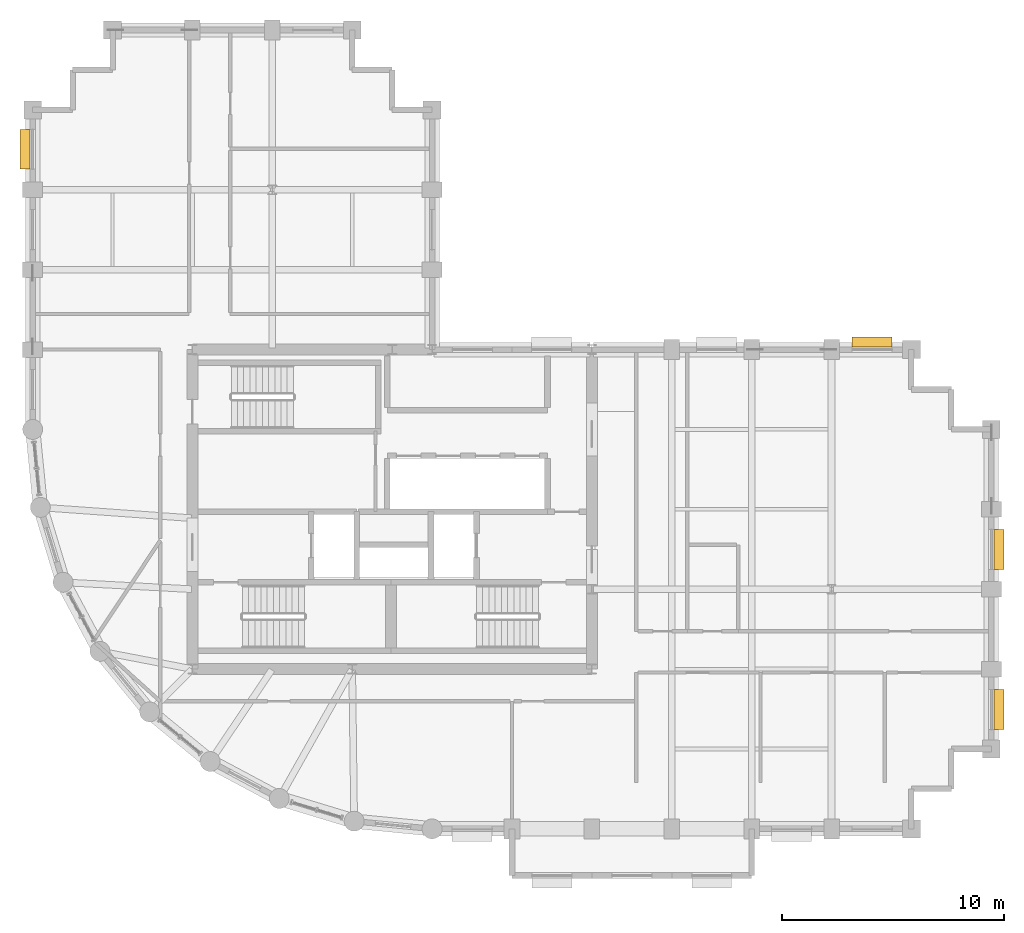
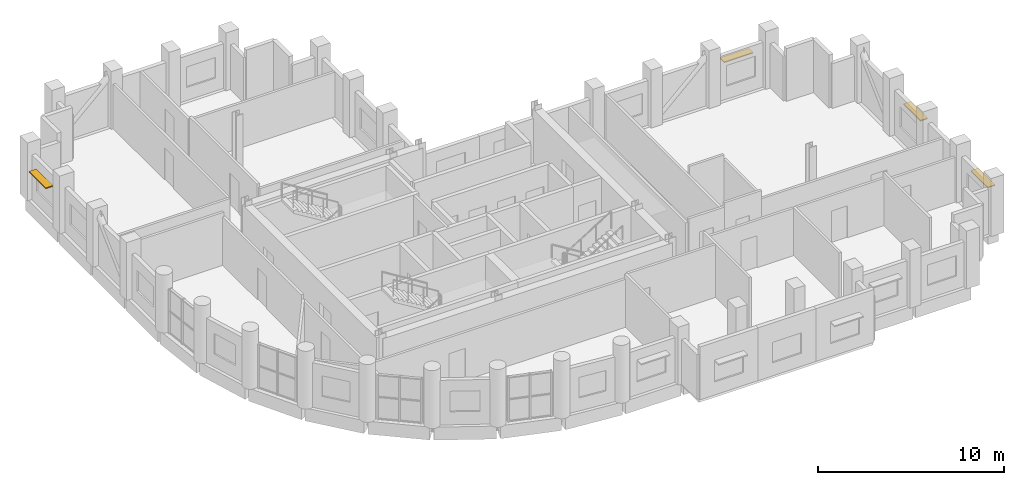
# One storey, part 11 of 11: 4 shading devices.
"""IFC4 building model written with IfcOpenShell, lengths in metres."""

from ifc_helpers import new_model, si_unit, direction, frame, origin, origin_2d, place, context, subcontext, project, spatial, rectangle, extrude, material, layer, layer_set, type_object, element, save


model = new_model("IFC4")

# Units and contexts
model_context = context("Model", 3, precision=1e-05, world=origin(), true_north=direction((0.0, 1.0)))
body_context = subcontext(model_context, "Body", "Model", "MODEL_VIEW")
ifc_project = project(units=[si_unit("LENGTHUNIT", "METRE"), si_unit("AREAUNIT", "SQUARE_METRE"), si_unit("VOLUMEUNIT", "CUBIC_METRE"), si_unit("PLANEANGLEUNIT", "RADIAN"), si_unit("MASSUNIT", "GRAM", prefix="KILO")], contexts=[model_context])

# Site, building, storey
site_placement = place(None, origin())
site = spatial("IfcSite", under=ifc_project, at=site_placement, CompositionType="ELEMENT")
building_placement = place(site_placement, origin())
building = spatial("IfcBuilding", under=site, at=building_placement, Name="Solnavia Interchange Tower", CompositionType="ELEMENT")
storey_placement = place(building_placement, frame((0.0, 0.0, 205.199951171875)))
storey = spatial("IfcBuildingStorey", under=building, at=storey_placement, Name="L51", CompositionType="ELEMENT", Elevation=205.199951171875)

# Shading devices
ifc_material = material(Name="Anodised Aluminium Sunshade", Category="aluminium")
ifc_layer = layer(ifc_material, 0.070068359375)
ifc_layer_set = layer_set([ifc_layer], Name="Anodised Aluminium Sunshade")
shading_device_type = type_object("IfcShadingDeviceType", Name="Sunshade-Band-450", PredefinedType="JALOUSIE", material=ifc_layer_set)
for number, where, z_axis, x_axis, name in (
    (1, (50.7451171875, 8.97509765625, 2.22509765625), (0.0, 0.0, 1.0), (0.0, -1.0, 0.0), "SHD-L51-13 Horizontal sunshade band"),
    (2, (50.7451171875, 16.199951171875, 2.22509765625), (0.0, 0.0, 1.0), (0.0, -1.0, 0.0), "SHD-L51-15 Horizontal sunshade band"),
    (3, (45.02490234375, 25.544921875, 2.22509765625), (0.0, 0.0, 1.0), (1.0, 0.0, 0.0), "SHD-L51-21 Horizontal sunshade band"),
    (4, (6.85498046875, 34.22509765625, 2.22509765625), (0.0, 0.0, 1.0), (0.0, 1.0, 0.0), "SHD-L51-41 Horizontal sunshade band"),
):
    element("IfcShadingDevice", number, at=place(storey_placement, frame(where, z_axis=z_axis, x_axis=x_axis)), inside=storey, type_object=shading_device_type, Name=name, PredefinedType="JALOUSIE", context=body_context, shape_type="SweptSolid", body=[
        extrude(rectangle(XDim=1.800048828125, YDim=0.449951171875, at=origin_2d()), origin(), (0.0, 0.0, 1.0), 0.070068359375),
    ])

save(model, "model.ifc")
